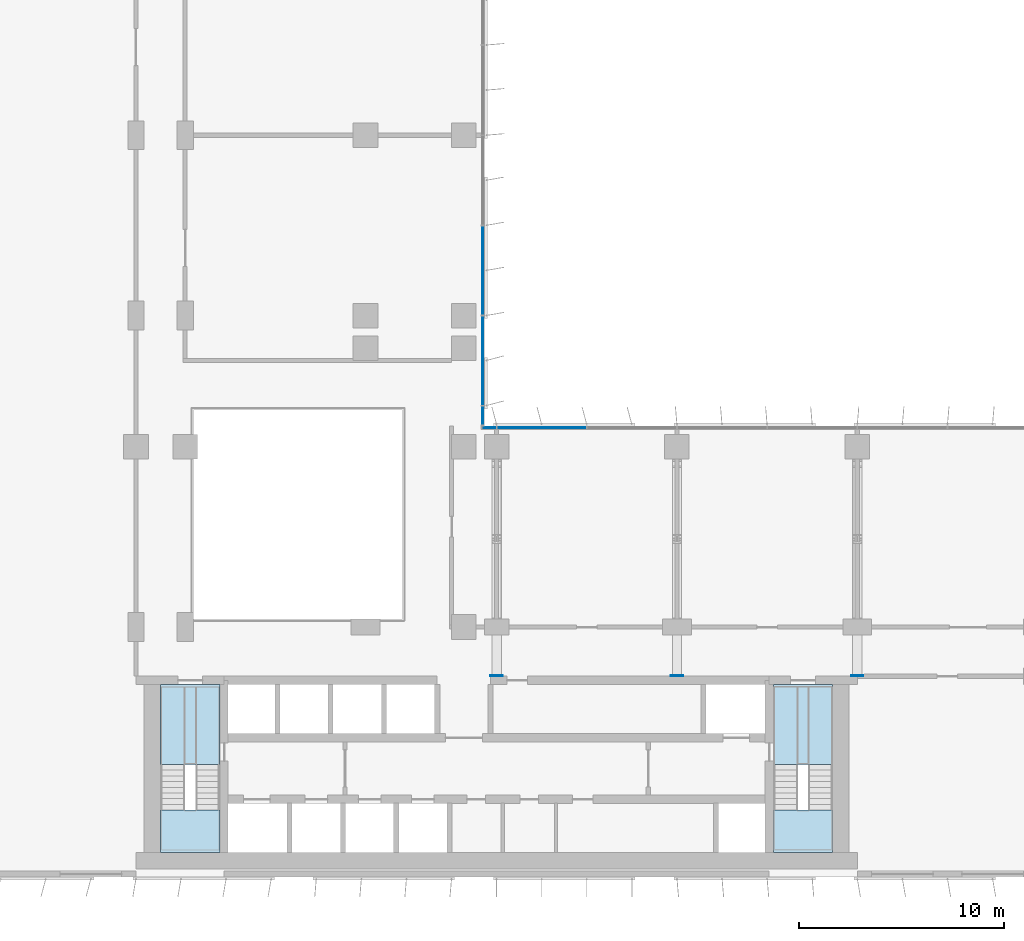
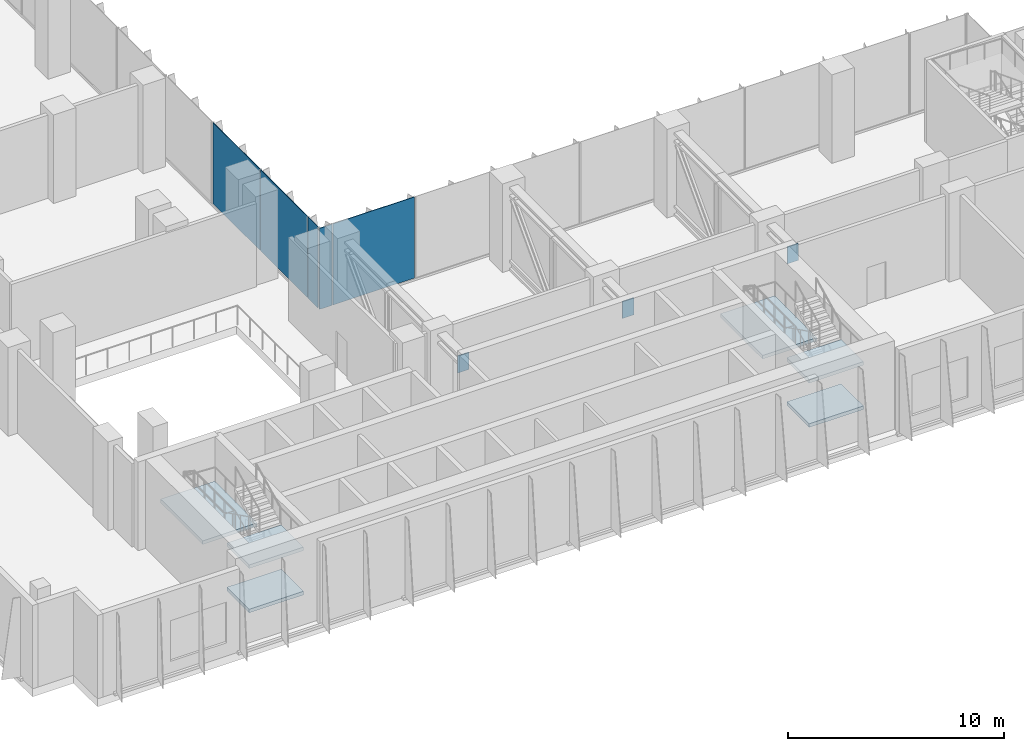
# One storey, part 10 of 21: 8 plates, 6 slabs, 4 elements without a shape of their own.
"""IFC4 building model written with IfcOpenShell, lengths in metres."""

from ifc_helpers import new_model, si_unit, direction, frame, origin, origin_2d, place, context, subcontext, project, spatial, polyline, rectangle, outline, extrude, source, transform, mapped, material, layer, layer_set, type_object, element, aggregate, save


model = new_model("IFC4")

# Units and contexts
model_context = context("Model", 3, precision=1e-05, world=origin(), true_north=direction((0.0, 1.0)))
body_context = subcontext(model_context, "Body", "Model", "MODEL_VIEW")
ifc_project = project(units=[si_unit("LENGTHUNIT", "METRE"), si_unit("AREAUNIT", "SQUARE_METRE"), si_unit("VOLUMEUNIT", "CUBIC_METRE"), si_unit("PLANEANGLEUNIT", "RADIAN"), si_unit("MASSUNIT", "GRAM", prefix="KILO")], contexts=[model_context])

# Site, building, storey
site_placement = place(None, origin())
site = spatial("IfcSite", under=ifc_project, at=site_placement, CompositionType="ELEMENT")
building_placement = place(site_placement, origin())
building = spatial("IfcBuilding", under=site, at=building_placement, Name="Kemantara Hotel Tower", CompositionType="ELEMENT")
storey_placement = place(building_placement, frame((0.0, 0.0, 133.300048828125)))
storey = spatial("IfcBuildingStorey", under=building, at=storey_placement, Name="L32", CompositionType="ELEMENT", Elevation=133.300048828125)

# Stair, slabs
ifc_material_1 = material(Name="Concrete fc 40 MPa", Category="concrete")
stair_type = type_object("IfcStairType", Name="Stair 1200 wide 36 risers of 139 x 280 mm", PredefinedType="HALF_TURN_STAIR", material=ifc_material_1)
stair_1_placement = place(storey_placement, origin())
stair_1 = element("IfcStair", 1, at=stair_1_placement, inside=storey, type_object=stair_type, Name="L32 Exit stair ST1", PredefinedType="HALF_TURN_STAIR")
ifc_layer_1 = layer(ifc_material_1, 0.199951171875)
ifc_layer_set_1 = layer_set([ifc_layer_1], Name="Concrete fc 40 MPa")
slab_type = type_object("IfcSlabType", Name="Stair landing 200 mm", PredefinedType="LANDING", material=ifc_layer_set_1)
slab_1_placement = place(storey_placement, frame((0.0, 0.0, 1.050048828125)))
slab_1 = element("IfcSlab", 2, at=slab_1_placement, type_object=slab_type, Name="ST1 landing 1", PredefinedType="LANDING", context=body_context, shape_type="SweptSolid", body=[
    extrude(outline(polyline([(11.0, 3.260009765625), (11.0, 1.199951171875), (13.89990234375, 1.199951171875), (13.89990234375, 3.260009765625), (11.0, 3.260009765625)])), origin(), (0.0, 0.0, 1.0), 0.199951171875),
])
slab_2_placement = place(storey_placement, frame((0.0, 0.0, 2.300048828125)))
slab_2 = element("IfcSlab", 3, at=slab_2_placement, type_object=slab_type, Name="ST1 landing 2", PredefinedType="LANDING", context=body_context, shape_type="SweptSolid", body=[
    extrude(outline(polyline([(11.0, 9.39990234375), (11.0, 5.5), (13.89990234375, 5.5), (13.89990234375, 9.39990234375), (11.0, 9.39990234375)])), origin(), (0.0, 0.0, 1.0), 0.199951171875),
])
slab_3_placement = place(storey_placement, frame((0.0, 0.0, 3.550048828125)))
slab_3 = element("IfcSlab", 4, at=slab_3_placement, type_object=slab_type, Name="ST1 landing 3", PredefinedType="LANDING", context=body_context, shape_type="SweptSolid", body=[
    extrude(outline(polyline([(11.0, 3.260009765625), (11.0, 1.199951171875), (13.89990234375, 1.199951171875), (13.89990234375, 3.260009765625), (11.0, 3.260009765625)])), origin(), (0.0, 0.0, 1.0), 0.199951171875),
])
aggregate(stair_1, [slab_1, slab_2, slab_3])

stair_2_placement = place(storey_placement, origin())
stair_2 = element("IfcStair", 5, at=stair_2_placement, inside=storey, type_object=stair_type, Name="L32 Exit stair ST2", PredefinedType="HALF_TURN_STAIR")
slab_4_placement = place(storey_placement, frame((0.0, 0.0, 1.050048828125)))
slab_4 = element("IfcSlab", 6, at=slab_4_placement, type_object=slab_type, Name="ST2 landing 1", PredefinedType="LANDING", context=body_context, shape_type="SweptSolid", body=[
    extrude(outline(polyline([(40.89990234375, 3.260009765625), (40.89990234375, 1.199951171875), (43.800048828125, 1.199951171875), (43.800048828125, 3.260009765625), (40.89990234375, 3.260009765625)])), origin(), (0.0, 0.0, 1.0), 0.199951171875),
])
slab_5_placement = place(storey_placement, frame((0.0, 0.0, 2.300048828125)))
slab_5 = element("IfcSlab", 7, at=slab_5_placement, type_object=slab_type, Name="ST2 landing 2", PredefinedType="LANDING", context=body_context, shape_type="SweptSolid", body=[
    extrude(outline(polyline([(40.89990234375, 9.39990234375), (40.89990234375, 5.5), (43.800048828125, 5.5), (43.800048828125, 9.39990234375), (40.89990234375, 9.39990234375)])), origin(), (0.0, 0.0, 1.0), 0.199951171875),
])
slab_6_placement = place(storey_placement, frame((0.0, 0.0, 3.550048828125)))
slab_6 = element("IfcSlab", 8, at=slab_6_placement, type_object=slab_type, Name="ST2 landing 3", PredefinedType="LANDING", context=body_context, shape_type="SweptSolid", body=[
    extrude(outline(polyline([(40.89990234375, 3.260009765625), (40.89990234375, 1.199951171875), (43.800048828125, 1.199951171875), (43.800048828125, 3.260009765625), (40.89990234375, 3.260009765625)])), origin(), (0.0, 0.0, 1.0), 0.199951171875),
])
aggregate(stair_2, [slab_4, slab_5, slab_6])

# Plates
ifc_material_2 = material(Name="Steel ASTM A572 Grade 50", Category="steel")
ifc_layer_2 = layer(ifc_material_2, 0.0400390625)
ifc_layer_set_2 = layer_set([ifc_layer_2], Name="Steel ASTM A572 Grade 50")
plate_type_1 = type_object("IfcPlateType", Name="STEEL PLATE 40", PredefinedType="SHEET", material=ifc_layer_set_2)
shared_shape_1 = source(origin(), body_context, "Body", "SweptSolid", [
    extrude(rectangle(XDim=0.60009765625, YDim=0.0400390625, at=origin_2d()), origin(), (0.0, 0.0, 1.0), 0.968994140625),
])
for number, where, z_axis, x_axis, name in (
    (9, (27.39990234375, 9.820068359375, 3.73095703125), (0.0, 0.0, 1.0), (1.0, 0.0, 0.0), "Cast-in plate CP-OR32-1 40"),
    (10, (36.199951171875, 9.820068359375, 3.73095703125), (0.0, 0.0, 1.0), (1.0, 0.0, 0.0), "Cast-in plate CP-OR32-2 40"),
    (11, (45.0, 9.820068359375, 3.73095703125), (0.0, 0.0, 1.0), (1.0, 0.0, 0.0), "Cast-in plate CP-OR32-3 40"),
):
    element("IfcPlate", number, at=place(storey_placement, frame(where, z_axis=z_axis, x_axis=x_axis)), inside=storey, type_object=plate_type_1, Name=name, PredefinedType="SHEET", context=body_context, shape_type="MappedRepresentation", body=[
        mapped(shared_shape_1, transform((0.0, 0.0, 0.0))),
    ])

# Curtain wall, plate
ifc_material_3 = material(Name="Low-E tinted double insulated glass 36 mm", Category="glass")
curtain_wall_type = type_object("IfcCurtainWallType", Name="TOWER CURTAIN WALL, FRONT FACES", PredefinedType="USERDEFINED", material=ifc_material_3)
curtain_wall_1_placement = place(storey_placement, origin())
curtain_wall_1 = element("IfcCurtainWall", 12, at=curtain_wall_1_placement, inside=storey, type_object=curtain_wall_type, Name="CW4 L32 T2-R13-1", ObjectType="TOWER CURTAIN WALL, FRONT FACES", PredefinedType="USERDEFINED")
ifc_layer_3 = layer(ifc_material_3, 0.035888671875)
ifc_layer_set_3 = layer_set([ifc_layer_3], Name="Low-E tinted double insulated glass 36 mm")
plate_type_2 = type_object("IfcPlateType", Name="TOWER CURTAIN WALL, FRONT FACES PANEL", PredefinedType="CURTAIN_PANEL", material=ifc_layer_set_3)
shared_shape_2 = source(origin(), body_context, "Body", "SweptSolid", [
    extrude(rectangle(XDim=4.340087890625, YDim=0.035888671875, at=origin_2d()), origin(), (0.0, 0.0, 1.0), 4.580078125),
])
plate_1_placement = place(storey_placement, frame((29.60009765625, 21.925048828125, 0.119873046875), z_axis=(0.0, 0.0, 1.0), x_axis=(-1.0, 0.0, 0.0)))
plate_1 = element("IfcPlate", 13, at=plate_1_placement, type_object=plate_type_2, Name="CW4 glass panel T2-R13-1.8", PredefinedType="CURTAIN_PANEL", context=body_context, shape_type="MappedRepresentation", body=[
    mapped(shared_shape_2, transform((0.0, 0.0, 0.0))),
])

# Curtain wall, plates
curtain_wall_2_placement = place(storey_placement, origin())
curtain_wall_2 = element("IfcCurtainWall", 14, at=curtain_wall_2_placement, inside=storey, type_object=curtain_wall_type, Name="CW4 L32 T2-R14-1", ObjectType="TOWER CURTAIN WALL, FRONT FACES", PredefinedType="USERDEFINED")
plate_2_placement = place(storey_placement, frame((26.72509765625, 25.199951171875, 0.119873046875), z_axis=(0.0, 0.0, 1.0), x_axis=(0.0, 1.0, 0.0)))
plate_2 = element("IfcPlate", 15, at=plate_2_placement, type_object=plate_type_2, Name="CW4 glass panel T2-R14-1.2", PredefinedType="CURTAIN_PANEL", context=body_context, shape_type="MappedRepresentation", body=[
    mapped(shared_shape_2, transform((0.0, 0.0, 0.0))),
])
plate_3_placement = place(storey_placement, frame((26.72509765625, 29.60009765625, 0.119873046875), z_axis=(0.0, 0.0, 1.0), x_axis=(0.0, 1.0, 0.0)))
plate_3 = element("IfcPlate", 16, at=plate_3_placement, type_object=plate_type_2, Name="CW4 glass panel T2-R14-1.3", PredefinedType="CURTAIN_PANEL", context=body_context, shape_type="MappedRepresentation", body=[
    mapped(shared_shape_2, transform((0.0, 0.0, 0.0))),
])

# Plate
shared_shape_3 = source(origin(), body_context, "Body", "SweptSolid", [
    extrude(rectangle(XDim=0.659912109375, YDim=0.035888671875, at=origin_2d()), origin(), (0.0, 0.0, 1.0), 4.580078125),
])
plate_4_placement = place(storey_placement, frame((27.0400390625, 21.925048828125, 0.119873046875), z_axis=(0.0, 0.0, 1.0), x_axis=(-1.0, 0.0, 0.0)))
plate_4 = element("IfcPlate", 17, at=plate_4_placement, type_object=plate_type_2, Name="CW4 glass panel T2-R13-1.9", PredefinedType="CURTAIN_PANEL", context=body_context, shape_type="MappedRepresentation", body=[
    mapped(shared_shape_3, transform((0.0, 0.0, 0.0))),
])

aggregate(curtain_wall_1, [plate_1, plate_4])

shared_shape_4 = source(origin(), body_context, "Body", "SweptSolid", [
    extrude(rectangle(XDim=0.909912109375, YDim=0.035888671875, at=origin_2d()), origin(), (0.0, 0.0, 1.0), 4.580078125),
])
plate_5_placement = place(storey_placement, frame((26.72509765625, 22.514892578125, 0.119873046875), z_axis=(0.0, 0.0, 1.0), x_axis=(0.0, 1.0, 0.0)))
plate_5 = element("IfcPlate", 18, at=plate_5_placement, type_object=plate_type_2, Name="CW4 glass panel T2-R14-1.1", PredefinedType="CURTAIN_PANEL", context=body_context, shape_type="MappedRepresentation", body=[
    mapped(shared_shape_4, transform((0.0, 0.0, 0.0))),
])

aggregate(curtain_wall_2, [plate_5, plate_2, plate_3])

save(model, "model.ifc")
